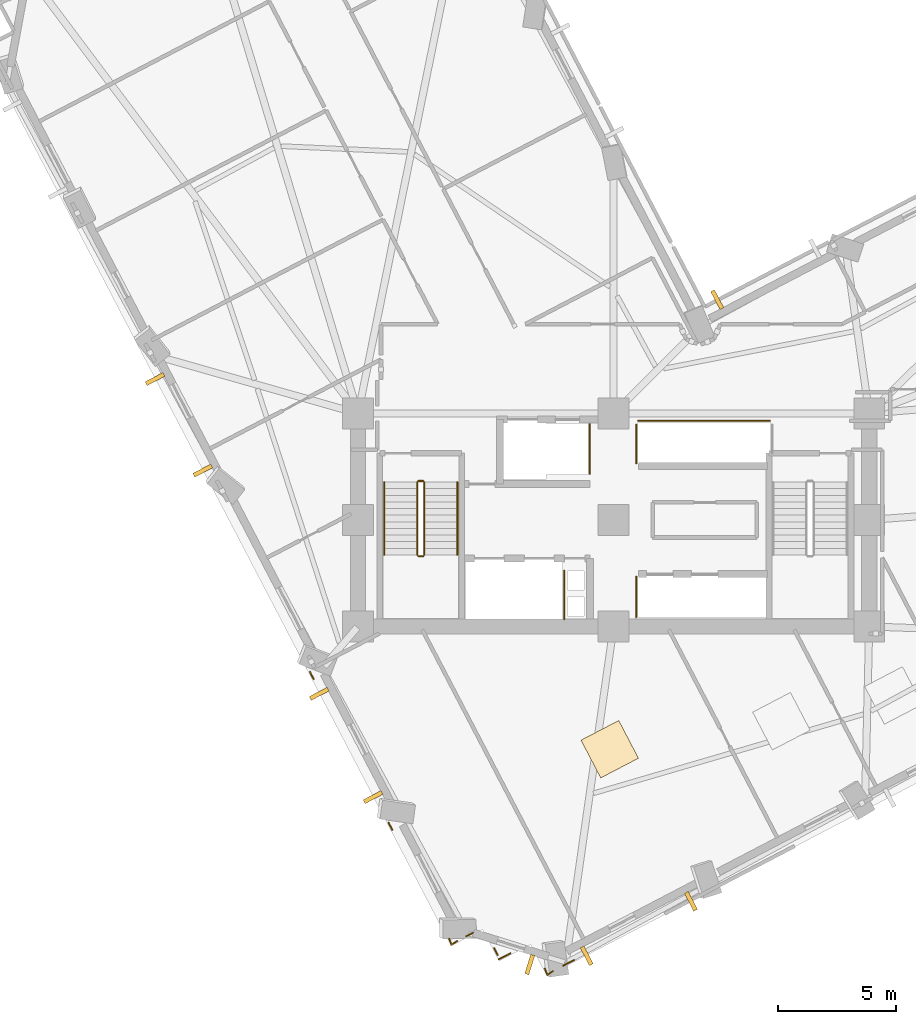
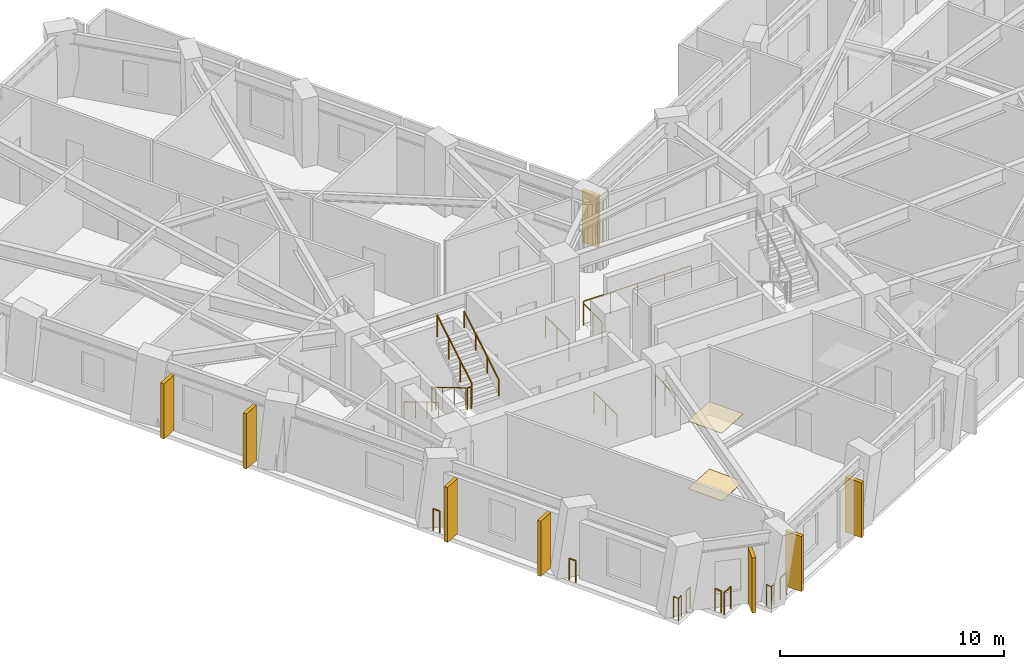
# One storey, part 13 of 16: 19 railings, 8 shading devices, 2 coverings.
"""IFC4 building model written with IfcOpenShell, lengths in metres."""

from ifc_helpers import new_model, si_unit, direction, frame, origin, origin_2d, place, context, subcontext, project, spatial, rectangle, circle, extrude, material, layer, layer_set, type_object, element, save


model = new_model("IFC4")

# Units and contexts
model_context = context("Model", 3, precision=1e-05, world=origin(), true_north=direction((0.0, 1.0)))
body_context = subcontext(model_context, "Body", "Model", "MODEL_VIEW")
ifc_project = project(units=[si_unit("LENGTHUNIT", "METRE"), si_unit("AREAUNIT", "SQUARE_METRE"), si_unit("VOLUMEUNIT", "CUBIC_METRE"), si_unit("PLANEANGLEUNIT", "RADIAN"), si_unit("MASSUNIT", "GRAM", prefix="KILO")], contexts=[model_context])

# Site, building, storey
site_placement = place(None, origin())
site = spatial("IfcSite", under=ifc_project, at=site_placement, CompositionType="ELEMENT")
building_placement = place(site_placement, origin())
building = spatial("IfcBuilding", under=site, at=building_placement, Name="Gaonmaruhae Medical Tower", CompositionType="ELEMENT")
storey_placement = place(building_placement, frame((0.0, 0.0, 140.39990234375)))
storey = spatial("IfcBuildingStorey", under=building, at=storey_placement, Name="L33", CompositionType="ELEMENT", Elevation=140.39990234375)

# Coverings
ifc_material_1 = material(Name="Acoustic mineral ceiling tile", Category="finish")
ifc_layer_1 = layer(ifc_material_1, 0.02490234375)
ifc_layer_set_1 = layer_set([ifc_layer_1], Name="Acoustic mineral ceiling tile")
covering_type_1 = type_object("IfcCoveringType", Name="CLG-01 Antimicrobial Acoustic Mineral Ceiling", PredefinedType="CEILING", material=ifc_layer_set_1)
covering_1_placement = place(storey_placement, frame((24.63623046875, 2.612548828125, 3.675048828125), z_axis=(0.0, 0.0, 1.0), x_axis=(0.8866075438, 0.462522500293, 0.0)))
element("IfcCovering", 1, at=covering_1_placement, inside=storey, type_object=covering_type_1, Name="L33 Clinical Room Acoustic Ceiling 2", PredefinedType="CEILING", context=body_context, shape_type="SweptSolid", body=[
    extrude(rectangle(XDim=1.800048828125, YDim=1.800048828125, at=origin_2d()), origin(), (0.0, 0.0, 1.0), 0.02490234375),
])
ifc_material_2 = material(Name="Seamless clinical vinyl flooring", Category="finish")
ifc_layer_2 = layer(ifc_material_2, 0.014892578125)
ifc_layer_set_2 = layer_set([ifc_layer_2], Name="Seamless clinical vinyl flooring")
covering_type_2 = type_object("IfcCoveringType", Name="FLR-01 Seamless Clinical Antistatic Vinyl Flooring", PredefinedType="FLOORING", material=ifc_layer_set_2)
covering_2_placement = place(storey_placement, frame((24.63623046875, 2.612548828125, 0.0), z_axis=(0.0, 0.0, 1.0), x_axis=(0.8866075438, 0.462522500293, 0.0)))
element("IfcCovering", 2, at=covering_2_placement, inside=storey, type_object=covering_type_2, Name="L33 Clinical Room Vinyl Flooring 2", PredefinedType="FLOORING", context=body_context, shape_type="SweptSolid", body=[
    extrude(rectangle(XDim=1.800048828125, YDim=1.800048828125, at=origin_2d()), origin(), (0.0, 0.0, 1.0), 0.014892578125),
])

# Railings
ifc_material_3 = material(Name="Stainless steel 316L and laminated safety glass", Category="steel")
ifc_layer_3 = layer(ifc_material_3, 0.080078125)
ifc_layer_set_3 = layer_set([ifc_layer_3], Name="Stainless steel 316L and laminated safety glass")
railing_type_1 = type_object("IfcRailingType", Name="GD-120 Outdoor Terrace Safety Glass & Steel Balustrade", PredefinedType="BALUSTRADE", material=ifc_layer_set_3)
railing_1_placement = place(storey_placement, frame((23.132080078125, -6.2978515625, 0.0)))
element("IfcRailing", 3, at=railing_1_placement, inside=storey, type_object=railing_type_1, Name="L33 Perimeter Slab Edge Safety Balustrade 03", PredefinedType="BALUSTRADE", context=body_context, shape_type="SweptSolid", body=[
    extrude(circle(Radius=0.02392578125, at=origin_2d()), frame((0.0, 0.0, 1.17578125), z_axis=(-0.886576455256, -0.462582088916, 0.0), x_axis=(0.462582088916, -0.886576455256, 0.0)), (0.0, 0.0, 1.0), 0.518798828125),
    extrude(circle(Radius=0.02099609375, at=origin_2d()), origin(), (0.0, 0.0, 1.0), 1.15185546875),
    extrude(circle(Radius=0.02099609375, at=origin_2d()), frame((-0.4599609375, -0.239990234375, 0.0)), (0.0, 0.0, 1.0), 1.15185546875),
])
railing_2_placement = place(storey_placement, frame((20.4384765625, -6.01123046875, 0.0)))
element("IfcRailing", 4, at=railing_2_placement, inside=storey, type_object=railing_type_1, Name="L33 Perimeter Slab Edge Safety Balustrade 04", PredefinedType="BALUSTRADE", context=body_context, shape_type="SweptSolid", body=[
    extrude(circle(Radius=0.02392578125, at=origin_2d()), frame((0.0, 0.0, 1.17578125), z_axis=(-0.886623704985, -0.462491519661, 0.0), x_axis=(0.462491519661, -0.886623704985, 0.0)), (0.0, 0.0, 1.0), 0.56005859375),
    extrude(circle(Radius=0.02099609375, at=origin_2d()), origin(), (0.0, 0.0, 1.0), 1.15185546875),
    extrude(circle(Radius=0.02099609375, at=origin_2d()), frame((-0.49658203125, -0.259033203125, 0.0)), (0.0, 0.0, 1.0), 1.15185546875),
])
railing_3_placement = place(storey_placement, frame((19.901611328125, -6.084716796875, 0.0)))
element("IfcRailing", 5, at=railing_3_placement, inside=storey, type_object=railing_type_1, Name="L33 Perimeter Slab Edge Safety Balustrade 05", PredefinedType="BALUSTRADE", context=body_context, shape_type="SweptSolid", body=[
    extrude(circle(Radius=0.02392578125, at=origin_2d()), frame((0.0, 0.0, 1.17578125), z_axis=(-0.46238729668, 0.886678063262, 0.0), x_axis=(-0.886678063262, -0.46238729668, 0.0)), (0.0, 0.0, 1.0), 0.326904296875),
    extrude(circle(Radius=0.02099609375, at=origin_2d()), origin(), (0.0, 0.0, 1.0), 1.15185546875),
    extrude(circle(Radius=0.02099609375, at=origin_2d()), frame((-0.151123046875, 0.289794921875, 0.0)), (0.0, 0.0, 1.0), 1.15185546875),
])
railing_4_placement = place(storey_placement, frame((18.858154296875, -5.143798828125, 0.0)))
element("IfcRailing", 6, at=railing_4_placement, inside=storey, type_object=railing_type_1, Name="L33 Perimeter Slab Edge Safety Balustrade 06", PredefinedType="BALUSTRADE", context=body_context, shape_type="SweptSolid", body=[
    extrude(circle(Radius=0.02392578125, at=origin_2d()), frame((0.0, 0.0, 1.17578125), z_axis=(-0.886678063262, -0.46238729668, 0.0), x_axis=(0.46238729668, -0.886678063262, 0.0)), (0.0, 0.0, 1.0), 0.326904296875),
    extrude(circle(Radius=0.02099609375, at=origin_2d()), origin(), (0.0, 0.0, 1.0), 1.15185546875),
    extrude(circle(Radius=0.02099609375, at=origin_2d()), frame((-0.289794921875, -0.151123046875, 0.0)), (0.0, 0.0, 1.0), 1.15185546875),
])
railing_5_placement = place(storey_placement, frame((15.45361328125, -0.801513671875, 0.0)))
element("IfcRailing", 7, at=railing_5_placement, inside=storey, type_object=railing_type_1, Name="L33 Perimeter Slab Edge Safety Balustrade 07", PredefinedType="BALUSTRADE", context=body_context, shape_type="SweptSolid", body=[
    extrude(circle(Radius=0.02392578125, at=origin_2d()), frame((0.0, 0.0, 1.17578125), z_axis=(-0.462369701704, 0.886687238516, 0.0), x_axis=(-0.886687238516, -0.462369701704, 0.0)), (0.0, 0.0, 1.0), 0.340087890625),
    extrude(circle(Radius=0.02099609375, at=origin_2d()), origin(), (0.0, 0.0, 1.0), 1.15185546875),
    extrude(circle(Radius=0.02099609375, at=origin_2d()), frame((-0.1572265625, 0.301513671875, 0.0)), (0.0, 0.0, 1.0), 1.15185546875),
])
railing_6_placement = place(storey_placement, frame((12.12646484375, 5.576171875, 0.0)))
element("IfcRailing", 8, at=railing_6_placement, inside=storey, type_object=railing_type_1, Name="L33 Perimeter Slab Edge Safety Balustrade 08", PredefinedType="BALUSTRADE", context=body_context, shape_type="SweptSolid", body=[
    extrude(circle(Radius=0.02392578125, at=origin_2d()), frame((0.0, 0.0, 1.17578125), z_axis=(-0.4626642132, 0.886533601069, 0.0), x_axis=(-0.886533601069, -0.4626642132, 0.0)), (0.0, 0.0, 1.0), 0.33984375),
    extrude(circle(Radius=0.02099609375, at=origin_2d()), origin(), (0.0, 0.0, 1.0), 1.15185546875),
    extrude(circle(Radius=0.02099609375, at=origin_2d()), frame((-0.1572265625, 0.30126953125, 0.0)), (0.0, 0.0, 1.0), 1.15185546875),
])
railing_7_placement = place(storey_placement, frame((22.231689453125, -6.767578125, 0.0)))
element("IfcRailing", 9, at=railing_7_placement, inside=storey, type_object=railing_type_1, Name="L33 Perimeter Corner Safety Balustrade 10", PredefinedType="BALUSTRADE", context=body_context, shape_type="SweptSolid", body=[
    extrude(circle(Radius=0.02392578125, at=origin_2d()), frame((0.0, 0.0, 1.17578125), z_axis=(-0.823719349792, -0.566997736131, 0.0), x_axis=(0.566997736131, -0.823719349792, 0.0)), (0.0, 0.0, 1.0), 0.287109375),
    extrude(circle(Radius=0.02392578125, at=origin_2d()), frame((-0.236572265625, -0.162841796875, 1.17578125), z_axis=(-0.35121663475, 0.936294224843, 0.0), x_axis=(-0.936294224843, -0.35121663475, 0.0)), (0.0, 0.0, 1.0), 0.287109375),
    extrude(circle(Radius=0.02099609375, at=origin_2d()), origin(), (0.0, 0.0, 1.0), 1.15185546875),
    extrude(circle(Radius=0.02099609375, at=origin_2d()), frame((-0.236572265625, -0.162841796875, 0.0)), (0.0, 0.0, 1.0), 1.15185546875),
    extrude(circle(Radius=0.02099609375, at=origin_2d()), frame((-0.33740234375, 0.10595703125, 0.0)), (0.0, 0.0, 1.0), 1.15185546875),
])
railing_8_placement = place(storey_placement, frame((18.18408203125, -5.495361328125, 0.0)))
element("IfcRailing", 10, at=railing_8_placement, inside=storey, type_object=railing_type_1, Name="L33 Perimeter Corner Safety Balustrade 11", PredefinedType="BALUSTRADE", context=body_context, shape_type="SweptSolid", body=[
    extrude(circle(Radius=0.02392578125, at=origin_2d()), frame((0.0, 0.0, 1.17578125), z_axis=(-0.823445776038, -0.567394971712, 0.0), x_axis=(0.567394971712, -0.823445776038, 0.0)), (0.0, 0.0, 1.0), 0.287109375),
    extrude(circle(Radius=0.02392578125, at=origin_2d()), frame((-0.236328125, -0.162841796875, 1.17578125), z_axis=(-0.35121663475, 0.936294224843, 0.0), x_axis=(-0.936294224843, -0.35121663475, 0.0)), (0.0, 0.0, 1.0), 0.287109375),
    extrude(circle(Radius=0.02099609375, at=origin_2d()), origin(), (0.0, 0.0, 1.0), 1.15185546875),
    extrude(circle(Radius=0.02099609375, at=origin_2d()), frame((-0.236328125, -0.162841796875, 0.0)), (0.0, 0.0, 1.0), 1.15185546875),
    extrude(circle(Radius=0.02099609375, at=origin_2d()), frame((-0.337158203125, 0.10595703125, 0.0)), (0.0, 0.0, 1.0), 1.15185546875),
])
ifc_material_4 = material(Name="Stainless steel 304 handrail", Category="steel")
railing_type_2 = type_object("IfcRailingType", Name="HR-092 Continuous Stainless Steel Stair Handrail", PredefinedType="HANDRAIL", material=ifc_material_4)
railing_9_placement = place(storey_placement, frame((15.10009765625, 13.89990234375, 0.166748046875)))
element("IfcRailing", 11, at=railing_9_placement, inside=storey, type_object=railing_type_2, Name="L33 ST-01 stair handrail 1", PredefinedType="HANDRAIL", context=body_context, shape_type="SweptSolid", body=[
    extrude(circle(Radius=0.02392578125, at=origin_2d()), frame((0.0, 0.0, 0.8759765625), z_axis=(0.0, -0.859290745958, 0.51148745235), x_axis=(1.0, 0.0, 0.0)), (0.0, 0.0, 1.0), 3.584228515625),
    extrude(circle(Radius=0.02099609375, at=origin_2d()), origin(), (0.0, 0.0, 1.0), 0.851806640625),
    extrude(circle(Radius=0.02099609375, at=origin_2d()), frame((0.0, -1.026611328125, 0.611083984375)), (0.0, 0.0, 1.0), 0.851806640625),
    extrude(circle(Radius=0.02099609375, at=origin_2d()), frame((0.0, -2.05322265625, 1.22216796875)), (0.0, 0.0, 1.0), 0.851806640625),
    extrude(circle(Radius=0.02099609375, at=origin_2d()), frame((0.0, -3.079833984375, 1.833251953125)), (0.0, 0.0, 1.0), 0.851806640625),
])
railing_10_placement = place(storey_placement, frame((18.199951171875, 10.820068359375, 2.166748046875)))
element("IfcRailing", 12, at=railing_10_placement, inside=storey, type_object=railing_type_2, Name="L33 ST-01 stair handrail 2", PredefinedType="HANDRAIL", context=body_context, shape_type="SweptSolid", body=[
    extrude(circle(Radius=0.02392578125, at=origin_2d()), frame((0.0, 0.0, 0.8759765625), z_axis=(0.0, 0.859290745958, 0.51148745235), x_axis=(-1.0, 0.0, 0.0)), (0.0, 0.0, 1.0), 3.584228515625),
    extrude(circle(Radius=0.02099609375, at=origin_2d()), origin(), (0.0, 0.0, 1.0), 0.851806640625),
    extrude(circle(Radius=0.02099609375, at=origin_2d()), frame((0.0, 1.026611328125, 0.611083984375)), (0.0, 0.0, 1.0), 0.851806640625),
    extrude(circle(Radius=0.02099609375, at=origin_2d()), frame((0.0, 2.05322265625, 1.22216796875)), (0.0, 0.0, 1.0), 0.851806640625),
    extrude(circle(Radius=0.02099609375, at=origin_2d()), frame((0.0, 3.079833984375, 1.833251953125)), (0.0, 0.0, 1.0), 0.851806640625),
])

# Shading devices
ifc_material_5 = material(Name="Pigmented coral precast concrete C45/55", Category="concrete")
shading_device_type = type_object("IfcShadingDeviceType", Name="SD-FIN1 Tower Vertical Coral Precast Shading Fin", PredefinedType="USERDEFINED", material=ifc_material_5)
for number, where, z_axis, x_axis, name in (
    (13, (28.0693359375, -3.818115234375, 0.04248046875), (0.0, 0.0, 1.0), (-0.8866075438, -0.462522500293, 0.0), "L33 Vertical Coral Precast Shading Fin S01"),
    (14, (23.662841796875, -6.116943359375, 0.04248046875), (0.0, 0.0, 1.0), (-0.8866075438, -0.462522500293, 0.0), "L33 Vertical Coral Precast Shading Fin S01B"),
):
    element("IfcShadingDevice", number, at=place(storey_placement, frame(where, z_axis=z_axis, x_axis=x_axis)), inside=storey, type_object=shading_device_type, Name=name, ObjectType="FIN", PredefinedType="USERDEFINED", context=body_context, shape_type="SweptSolid", body=[
        extrude(rectangle(XDim=0.179931640625, YDim=0.85009765625, at=origin_2d()), origin(), (0.0, 0.0, 1.0), 3.0),
    ])
shading_device_placement = place(storey_placement, frame((29.1796875, 21.608642578125, 0.0400390625), z_axis=(0.0, 0.0, 1.0), x_axis=(0.8866075438, 0.462522500293, 0.0)))
element("IfcShadingDevice", 15, at=shading_device_placement, inside=storey, type_object=shading_device_type, Name="L33 Vertical Coral Precast Shading Fin EN03", ObjectType="FIN", PredefinedType="USERDEFINED", context=body_context, shape_type="SweptSolid", body=[
    extrude(rectangle(XDim=0.179931640625, YDim=0.85009765625, at=origin_2d()), origin(), (0.0, 0.0, 1.0), 2.804931640625),
])
for number, where, z_axis, x_axis, name in (
    (16, (7.43505859375, 14.385498046875, 0.04248046875), (0.0, 0.0, 1.0), (-0.462522500293, 0.8866075438, 0.0), "L33 Vertical Coral Precast Shading Fin W03"),
    (17, (5.41748046875, 18.253173828125, 0.04248046875), (0.0, 0.0, 1.0), (-0.462522500293, 0.8866075438, 0.0), "L33 Vertical Coral Precast Shading Fin W03B"),
    (18, (14.6328125, 0.587890625, 0.04248046875), (0.0, 0.0, 1.0), (-0.462522500293, 0.8866075438, 0.0), "L33 Vertical Coral Precast Shading Fin W05"),
    (19, (12.355712890625, 4.953369140625, 0.04248046875), (0.0, 0.0, 1.0), (-0.462522500293, 0.8866075438, 0.0), "L33 Vertical Coral Precast Shading Fin W05B"),
    (20, (21.256103515625, -6.489990234375, 0.04248046875), (0.0, 0.0, 1.0), (-0.953979002881, 0.299873410064, 0.0), "L33 Vertical Coral Precast Shading Fin W07"),
):
    element("IfcShadingDevice", number, at=place(storey_placement, frame(where, z_axis=z_axis, x_axis=x_axis)), inside=storey, type_object=shading_device_type, Name=name, ObjectType="FIN", PredefinedType="USERDEFINED", context=body_context, shape_type="SweptSolid", body=[
        extrude(rectangle(XDim=0.179931640625, YDim=0.85009765625, at=origin_2d()), origin(), (0.0, 0.0, 1.0), 3.0),
    ])

# Railings
ifc_material_6 = material(Name="Stainless steel 304 balustrade", Category="steel")
railing_type_3 = type_object("IfcRailingType", Name="SG-112 Stair Well & Ramp Void Safety Balustrade", PredefinedType="BALUSTRADE", material=ifc_material_6)
railing_11_placement = place(storey_placement, frame((16.5, 13.89990234375, 0.166748046875)))
element("IfcRailing", 21, at=railing_11_placement, inside=storey, type_object=railing_type_3, Name="L33 ST-01 stair guard 1", PredefinedType="BALUSTRADE", context=body_context, shape_type="SweptSolid", body=[
    extrude(circle(Radius=0.02392578125, at=origin_2d()), frame((0.0, 0.0, 1.17578125), z_axis=(0.0, -0.859290745958, 0.51148745235), x_axis=(1.0, 0.0, 0.0)), (0.0, 0.0, 1.0), 3.584228515625),
    extrude(circle(Radius=0.02099609375, at=origin_2d()), origin(), (0.0, 0.0, 1.0), 1.15185546875),
    extrude(circle(Radius=0.02099609375, at=origin_2d()), frame((0.0, -1.026611328125, 0.611083984375)), (0.0, 0.0, 1.0), 1.15185546875),
    extrude(circle(Radius=0.02099609375, at=origin_2d()), frame((0.0, -2.05322265625, 1.22216796875)), (0.0, 0.0, 1.0), 1.15185546875),
    extrude(circle(Radius=0.02099609375, at=origin_2d()), frame((0.0, -3.079833984375, 1.833251953125)), (0.0, 0.0, 1.0), 1.15185546875),
])
railing_12_placement = place(storey_placement, frame((16.550048828125, 10.77001953125, 2.0)))
element("IfcRailing", 22, at=railing_12_placement, inside=storey, type_object=railing_type_3, Name="L33 ST-01 stair guard 2", PredefinedType="BALUSTRADE", context=body_context, shape_type="SweptSolid", body=[
    extrude(circle(Radius=0.02392578125, at=origin_2d()), frame((0.0, 0.0, 1.17578125), z_axis=(1.0, 0.0, 0.0), x_axis=(0.0, 1.0, 0.0)), (0.0, 0.0, 1.0), 0.199951171875),
    extrude(circle(Radius=0.02099609375, at=origin_2d()), origin(), (0.0, 0.0, 1.0), 1.15185546875),
    extrude(circle(Radius=0.02099609375, at=origin_2d()), frame((0.199951171875, 0.0, 0.0)), (0.0, 0.0, 1.0), 1.15185546875),
])
railing_13_placement = place(storey_placement, frame((16.800048828125, 10.820068359375, 2.166748046875)))
element("IfcRailing", 23, at=railing_13_placement, inside=storey, type_object=railing_type_3, Name="L33 ST-01 stair guard 3", PredefinedType="BALUSTRADE", context=body_context, shape_type="SweptSolid", body=[
    extrude(circle(Radius=0.02392578125, at=origin_2d()), frame((0.0, 0.0, 1.17578125), z_axis=(0.0, 0.859290745958, 0.51148745235), x_axis=(-1.0, 0.0, 0.0)), (0.0, 0.0, 1.0), 3.584228515625),
    extrude(circle(Radius=0.02099609375, at=origin_2d()), origin(), (0.0, 0.0, 1.0), 1.15185546875),
    extrude(circle(Radius=0.02099609375, at=origin_2d()), frame((0.0, 1.026611328125, 0.611083984375)), (0.0, 0.0, 1.0), 1.15185546875),
    extrude(circle(Radius=0.02099609375, at=origin_2d()), frame((0.0, 2.05322265625, 1.22216796875)), (0.0, 0.0, 1.0), 1.15185546875),
    extrude(circle(Radius=0.02099609375, at=origin_2d()), frame((0.0, 3.079833984375, 1.833251953125)), (0.0, 0.0, 1.0), 1.15185546875),
])
railing_14_placement = place(storey_placement, frame((16.550048828125, 13.949951171875, 0.0)))
element("IfcRailing", 24, at=railing_14_placement, inside=storey, type_object=railing_type_3, Name="L33 ST-01 stair guard 4", PredefinedType="BALUSTRADE", context=body_context, shape_type="SweptSolid", body=[
    extrude(circle(Radius=0.02392578125, at=origin_2d()), frame((0.0, 0.0, 1.17578125), z_axis=(1.0, 0.0, 0.0), x_axis=(0.0, 1.0, 0.0)), (0.0, 0.0, 1.0), 0.199951171875),
    extrude(circle(Radius=0.02099609375, at=origin_2d()), origin(), (0.0, 0.0, 1.0), 1.15185546875),
    extrude(circle(Radius=0.02099609375, at=origin_2d()), frame((0.199951171875, 0.0, 0.0)), (0.0, 0.0, 1.0), 1.15185546875),
])
railing_15_placement = place(storey_placement, frame((25.7548828125, 8.195068359375, 0.0)))
element("IfcRailing", 25, at=railing_15_placement, inside=storey, type_object=railing_type_3, Name="L33 Shaft Edge Safety Guard 13", PredefinedType="BALUSTRADE", context=body_context, shape_type="SweptSolid", body=[
    extrude(circle(Radius=0.02392578125, at=origin_2d()), frame((0.0, 0.0, 1.17578125), z_axis=(0.0, 1.0, 0.0), x_axis=(-1.0, 0.0, 0.0)), (0.0, 0.0, 1.0), 1.7099609375),
    extrude(circle(Radius=0.02099609375, at=origin_2d()), origin(), (0.0, 0.0, 1.0), 1.15185546875),
    extrude(circle(Radius=0.02099609375, at=origin_2d()), frame((0.0, 0.85498046875, 0.0)), (0.0, 0.0, 1.0), 1.15185546875),
    extrude(circle(Radius=0.02099609375, at=origin_2d()), frame((0.0, 1.7099609375, 0.0)), (0.0, 0.0, 1.0), 1.15185546875),
])
railing_16_placement = place(storey_placement, frame((22.719970703125, 10.159912109375, 0.0)))
element("IfcRailing", 26, at=railing_16_placement, inside=storey, type_object=railing_type_3, Name="L33 Shaft Edge Safety Guard 14", PredefinedType="BALUSTRADE", context=body_context, shape_type="SweptSolid", body=[
    extrude(circle(Radius=0.02392578125, at=origin_2d()), frame((0.0, 0.0, 1.17578125), z_axis=(0.0, -1.0, 0.0), x_axis=(1.0, 0.0, 0.0)), (0.0, 0.0, 1.0), 2.06494140625),
    extrude(circle(Radius=0.02099609375, at=origin_2d()), origin(), (0.0, 0.0, 1.0), 1.15185546875),
    extrude(circle(Radius=0.02099609375, at=origin_2d()), frame((0.0, -1.032470703125, 0.0)), (0.0, 0.0, 1.0), 1.15185546875),
    extrude(circle(Radius=0.02099609375, at=origin_2d()), frame((0.0, -2.06494140625, 0.0)), (0.0, 0.0, 1.0), 1.15185546875),
])
railing_17_placement = place(storey_placement, frame((23.794921875, 16.35498046875, 0.0)))
element("IfcRailing", 27, at=railing_17_placement, inside=storey, type_object=railing_type_3, Name="L33 Shaft Edge Safety Guard 15", PredefinedType="BALUSTRADE", context=body_context, shape_type="SweptSolid", body=[
    extrude(circle(Radius=0.02392578125, at=origin_2d()), frame((0.0, 0.0, 1.17578125), z_axis=(0.0, -1.0, 0.0), x_axis=(1.0, 0.0, 0.0)), (0.0, 0.0, 1.0), 2.10986328125),
    extrude(circle(Radius=0.02099609375, at=origin_2d()), origin(), (0.0, 0.0, 1.0), 1.15185546875),
    extrude(circle(Radius=0.02099609375, at=origin_2d()), frame((0.0, -1.054931640625, 0.0)), (0.0, 0.0, 1.0), 1.15185546875),
    extrude(circle(Radius=0.02099609375, at=origin_2d()), frame((0.0, -2.10986328125, 0.0)), (0.0, 0.0, 1.0), 1.15185546875),
])
railing_18_placement = place(storey_placement, frame((25.844970703125, 16.4951171875, 0.0)))
element("IfcRailing", 28, at=railing_18_placement, inside=storey, type_object=railing_type_3, Name="L33 Shaft Edge Safety Guard 16", PredefinedType="BALUSTRADE", context=body_context, shape_type="SweptSolid", body=[
    extrude(circle(Radius=0.02392578125, at=origin_2d()), frame((0.0, 0.0, 1.17578125), z_axis=(1.0, 0.0, 0.0), x_axis=(0.0, 1.0, 0.0)), (0.0, 0.0, 1.0), 5.56005859375),
    extrude(circle(Radius=0.02099609375, at=origin_2d()), origin(), (0.0, 0.0, 1.0), 1.15185546875),
    extrude(circle(Radius=0.02099609375, at=origin_2d()), frame((1.39013671875, 0.0, 0.0)), (0.0, 0.0, 1.0), 1.15185546875),
    extrude(circle(Radius=0.02099609375, at=origin_2d()), frame((2.780029296875, 0.0, 0.0)), (0.0, 0.0, 1.0), 1.15185546875),
    extrude(circle(Radius=0.02099609375, at=origin_2d()), frame((4.169921875, 0.0, 0.0)), (0.0, 0.0, 1.0), 1.15185546875),
    extrude(circle(Radius=0.02099609375, at=origin_2d()), frame((5.56005859375, 0.0, 0.0)), (0.0, 0.0, 1.0), 1.15185546875),
])
railing_19_placement = place(storey_placement, frame((25.7548828125, 14.695068359375, 0.0)))
element("IfcRailing", 29, at=railing_19_placement, inside=storey, type_object=railing_type_3, Name="L33 Shaft Edge Safety Guard 18", PredefinedType="BALUSTRADE", context=body_context, shape_type="SweptSolid", body=[
    extrude(circle(Radius=0.02392578125, at=origin_2d()), frame((0.0, 0.0, 1.17578125), z_axis=(0.0, 1.0, 0.0), x_axis=(-1.0, 0.0, 0.0)), (0.0, 0.0, 1.0), 1.635009765625),
    extrude(circle(Radius=0.02099609375, at=origin_2d()), origin(), (0.0, 0.0, 1.0), 1.15185546875),
    extrude(circle(Radius=0.02099609375, at=origin_2d()), frame((0.0, 0.8173828125, 0.0)), (0.0, 0.0, 1.0), 1.15185546875),
    extrude(circle(Radius=0.02099609375, at=origin_2d()), frame((0.0, 1.635009765625, 0.0)), (0.0, 0.0, 1.0), 1.15185546875),
])

save(model, "model.ifc")
